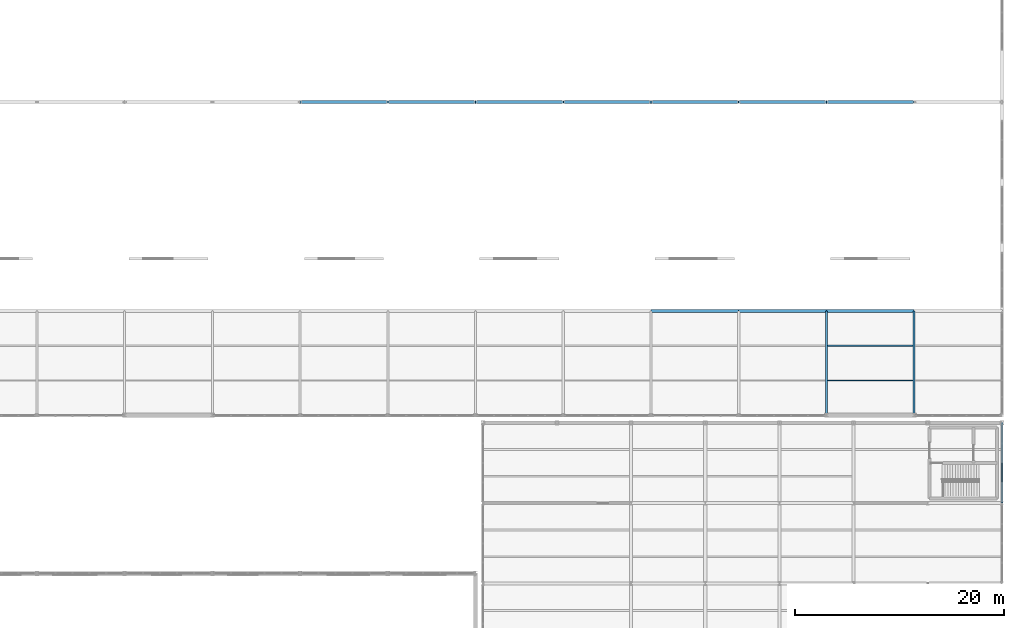
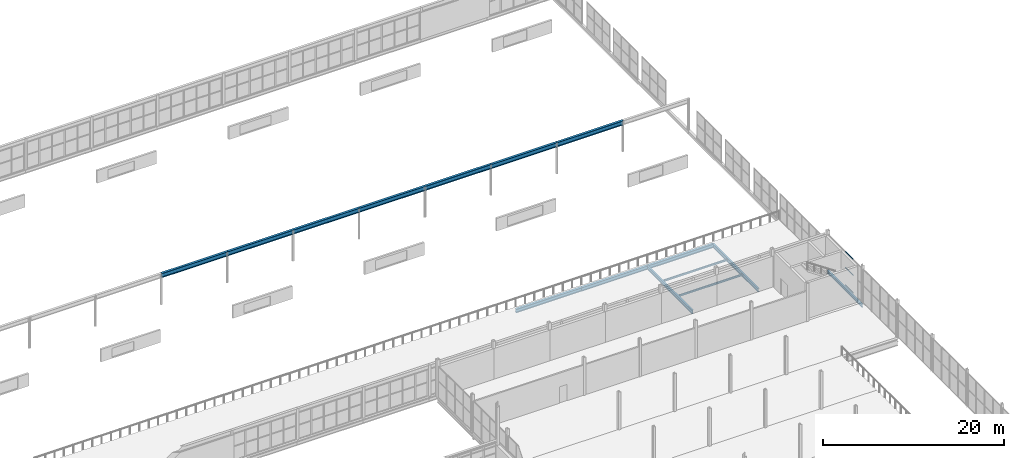
# One storey, part 151 of 218: 15 beams, 3 members, 1 element without a shape of its own.
"""IFC4 building model written with IfcOpenShell, lengths in metres."""

from ifc_helpers import new_model, si_unit, direction, frame, origin, origin_2d, place, context, subcontext, project, spatial, hollow_rectangle, i_section, extrude, material, material_profile, profile_set, type_object, element, aggregate, save


model = new_model("IFC4")

# Units and contexts
model_context = context("Model", 3, precision=1e-05, world=origin(), true_north=direction((0.0, 1.0)))
body_context = subcontext(model_context, "Body", "Model", "MODEL_VIEW")
ifc_project = project(units=[si_unit("LENGTHUNIT", "METRE"), si_unit("AREAUNIT", "SQUARE_METRE"), si_unit("VOLUMEUNIT", "CUBIC_METRE"), si_unit("PLANEANGLEUNIT", "RADIAN"), si_unit("MASSUNIT", "GRAM", prefix="KILO")], contexts=[model_context])

# Site, building, storey
site_placement = place(None, origin())
site = spatial("IfcSite", under=ifc_project, at=site_placement, CompositionType="ELEMENT")
building_placement = place(site_placement, origin())
building = spatial("IfcBuilding", under=site, at=building_placement, Name="Kazenagashi Tramway Depot", CompositionType="ELEMENT")
storey_placement = place(building_placement, frame((0.0, 0.0, 6.0)))
storey = spatial("IfcBuildingStorey", under=building, at=storey_placement, Name="L02", CompositionType="ELEMENT", Elevation=6.0)

# Beams
ifc_material_1 = material(Name="Steel SN490B", Category="steel")
ifc_material_profile_1 = material_profile(ifc_material_1, i_section(OverallWidth=0.2, OverallDepth=0.5, WebThickness=0.01, FlangeThickness=0.016, at=origin_2d()), Name="H-500x200x10x16")
ifc_profile_set_1 = profile_set([ifc_material_profile_1], Name="Steel SN490B")
beam_type_1 = type_object("IfcBeamType", Name="G-05", PredefinedType="BEAM", material=ifc_profile_set_1)
for number, where, z_axis, x_axis, name in (
    (1, (179.2, 70.0, -0.515), (0.0, 1.0, 0.0), (-1.0, 0.0, 0.0), "Beam G-05 BM-1784"),
    (2, (187.6, 70.0, -0.515), (0.0, 1.0, 0.0), (-1.0, 0.0, 0.0), "Beam G-05 BM-1787"),
):
    element("IfcBeam", number, at=place(storey_placement, frame(where, z_axis=z_axis, x_axis=x_axis)), inside=storey, type_object=beam_type_1, Name=name, PredefinedType="BEAM", context=body_context, shape_type="SweptSolid", body=[
        extrude(i_section(OverallWidth=0.2, OverallDepth=0.5, WebThickness=0.01, FlangeThickness=0.016, at=origin_2d()), origin(), (0.0, 0.0, 1.0), 10.0),
    ])
ifc_material_2 = material(Name="Steel SN400B", Category="steel")
ifc_material_profile_2 = material_profile(ifc_material_2, i_section(OverallWidth=0.125, OverallDepth=0.25, WebThickness=0.006, FlangeThickness=0.009, at=origin_2d()), Name="H-250x125x6x9")
ifc_profile_set_2 = profile_set([ifc_material_profile_2], Name="Steel SN400B")
beam_type_2 = type_object("IfcBeamType", Name="J-03", PredefinedType="JOIST", material=ifc_profile_set_2)
for number, where, z_axis, x_axis, name in (
    (3, (179.3, 73.333, -0.39), (1.0, 0.0, 0.0), (0.0, 1.0, 0.0), "Beam J-03 BM-1785"),
    (4, (179.3, 76.667, -0.39), (1.0, 0.0, 0.0), (0.0, 1.0, 0.0), "Beam J-03 BM-1786"),
):
    element("IfcBeam", number, at=place(storey_placement, frame(where, z_axis=z_axis, x_axis=x_axis)), inside=storey, type_object=beam_type_2, Name=name, PredefinedType="JOIST", context=body_context, shape_type="SweptSolid", body=[
        extrude(i_section(OverallWidth=0.125, OverallDepth=0.25, WebThickness=0.006, FlangeThickness=0.009, at=origin_2d()), origin(), (0.0, 0.0, 1.0), 8.2),
    ])
ifc_material_profile_3 = material_profile(ifc_material_1, i_section(OverallWidth=0.3, OverallDepth=0.588, WebThickness=0.012, FlangeThickness=0.02, at=origin_2d()), Name="H-588x300x12x20")
ifc_profile_set_3 = profile_set([ifc_material_profile_3], Name="Steel SN490B")
beam_type_3 = type_object("IfcBeamType", Name="SP-01", PredefinedType="SPANDREL", material=ifc_profile_set_3)
for number, where, z_axis, x_axis, name in (
    (5, (128.8, 100.0, 3.906), (1.0, 0.0, 0.0), (0.0, 1.0, 0.0), "Beam SP-01 BM-1872"),
    (6, (137.2, 100.0, 3.906), (1.0, 0.0, 0.0), (0.0, 1.0, 0.0), "Beam SP-01 BM-1873"),
    (7, (145.6, 100.0, 3.906), (1.0, 0.0, 0.0), (0.0, 1.0, 0.0), "Beam SP-01 BM-1874"),
    (8, (154.0, 100.0, 3.906), (1.0, 0.0, 0.0), (0.0, 1.0, 0.0), "Beam SP-01 BM-1875"),
    (9, (162.4, 100.0, 3.906), (1.0, 0.0, 0.0), (0.0, 1.0, 0.0), "Beam SP-01 BM-1876"),
    (10, (170.8, 100.0, 3.906), (1.0, 0.0, 0.0), (0.0, 1.0, 0.0), "Beam SP-01 BM-1877"),
    (11, (179.2, 100.0, 3.906), (1.0, 0.0, 0.0), (0.0, 1.0, 0.0), "Beam SP-01 BM-1878"),
):
    element("IfcBeam", number, at=place(storey_placement, frame(where, z_axis=z_axis, x_axis=x_axis)), inside=storey, type_object=beam_type_3, Name=name, PredefinedType="SPANDREL", context=body_context, shape_type="SweptSolid", body=[
        extrude(i_section(OverallWidth=0.3, OverallDepth=0.588, WebThickness=0.012, FlangeThickness=0.02, at=origin_2d()), origin(), (0.0, 0.0, 1.0), 8.4),
    ])
ifc_material_profile_4 = material_profile(ifc_material_1, i_section(OverallWidth=0.3, OverallDepth=0.488, WebThickness=0.011, FlangeThickness=0.018, at=origin_2d()), Name="H-488x300x11x18")
ifc_profile_set_4 = profile_set([ifc_material_profile_4], Name="Steel SN490B")
beam_type_4 = type_object("IfcBeamType", Name="SP-02", PredefinedType="SPANDREL", material=ifc_profile_set_4)
for number, where, z_axis, x_axis, name in (
    (12, (162.4, 80.0, -0.509), (1.0, 0.0, 0.0), (0.0, 1.0, 0.0), "Beam SP-02 BM-1733"),
    (13, (170.8, 80.0, -0.509), (1.0, 0.0, 0.0), (0.0, 1.0, 0.0), "Beam SP-02 BM-1734"),
    (14, (179.2, 80.0, -0.509), (1.0, 0.0, 0.0), (0.0, 1.0, 0.0), "Beam SP-02 BM-1735"),
):
    element("IfcBeam", number, at=place(storey_placement, frame(where, z_axis=z_axis, x_axis=x_axis)), inside=storey, type_object=beam_type_4, Name=name, PredefinedType="SPANDREL", context=body_context, shape_type="SweptSolid", body=[
        extrude(i_section(OverallWidth=0.3, OverallDepth=0.488, WebThickness=0.011, FlangeThickness=0.018, at=origin_2d()), origin(), (0.0, 0.0, 1.0), 8.4),
    ])
ifc_material_profile_5 = material_profile(ifc_material_1, i_section(OverallWidth=0.2, OverallDepth=0.4, WebThickness=0.008, FlangeThickness=0.013, at=origin_2d()), Name="H-400x200x8x13")
ifc_profile_set_5 = profile_set([ifc_material_profile_5], Name="Steel SN490B")
beam_type_5 = type_object("IfcBeamType", Name="SP-04", PredefinedType="SPANDREL", material=ifc_profile_set_5)
beam_placement = place(storey_placement, frame((196.0, 61.6, -0.48), z_axis=(0.0, 1.0, 0.0), x_axis=(-1.0, 0.0, 0.0)))
element("IfcBeam", 15, at=beam_placement, inside=storey, type_object=beam_type_5, Name="Beam SP-04 BM-1353", PredefinedType="SPANDREL", context=body_context, shape_type="SweptSolid", body=[
    extrude(i_section(OverallWidth=0.2, OverallDepth=0.4, WebThickness=0.008, FlangeThickness=0.013, at=origin_2d()), origin(), (0.0, 0.0, 1.0), 7.7),
])

# Curtain wall, members
ifc_material_3 = material(Name="Anodised Aluminium and Low-E Glazing", Category="aluminium")
curtain_wall_type = type_object("IfcCurtainWallType", Name="CW-23", PredefinedType="USERDEFINED", material=ifc_material_3)
curtain_wall_placement = place(storey_placement, origin())
curtain_wall = element("IfcCurtainWall", 16, at=curtain_wall_placement, inside=storey, type_object=curtain_wall_type, Name="Industrial Glazed Screen CW-23 CW-0133", ObjectType="GLAZED SCREEN", PredefinedType="USERDEFINED")
ifc_material_4 = material(Name="Anodised Aluminium", Category="aluminium")
ifc_material_profile_6 = material_profile(ifc_material_4, hollow_rectangle(XDim=0.06, YDim=0.12, WallThickness=0.004, at=origin_2d()), Name="RHS-120x60x4")
ifc_profile_set_6 = profile_set([ifc_material_profile_6], Name="Anodised Aluminium")
member_type = type_object("IfcMemberType", Name="TR-01", PredefinedType="USERDEFINED", material=ifc_profile_set_6)
member_1_placement = place(storey_placement, frame((196.0, 63.625, 0.03), z_axis=(0.0, 1.0, 0.0), x_axis=(-1.0, 0.0, 0.0)))
member_1 = element("IfcMember", 17, at=member_1_placement, type_object=member_type, Name="CW-23 transom 2.1", ObjectType="TRANSOM", PredefinedType="USERDEFINED", context=body_context, shape_type="SweptSolid", body=[
    extrude(hollow_rectangle(XDim=0.06, YDim=0.12, WallThickness=0.004, at=origin_2d()), origin(), (0.0, 0.0, 1.0), 1.795),
])
member_2_placement = place(storey_placement, frame((196.0, 63.625, 2.392), z_axis=(0.0, 1.0, 0.0), x_axis=(-1.0, 0.0, 0.0)))
member_2 = element("IfcMember", 18, at=member_2_placement, type_object=member_type, Name="CW-23 transom 2.2", ObjectType="TRANSOM", PredefinedType="USERDEFINED", context=body_context, shape_type="SweptSolid", body=[
    extrude(hollow_rectangle(XDim=0.06, YDim=0.12, WallThickness=0.004, at=origin_2d()), origin(), (0.0, 0.0, 1.0), 1.795),
])
member_3_placement = place(storey_placement, frame((196.0, 63.625, 4.57), z_axis=(0.0, 1.0, 0.0), x_axis=(-1.0, 0.0, 0.0)))
member_3 = element("IfcMember", 19, at=member_3_placement, type_object=member_type, Name="CW-23 transom 2.3", ObjectType="TRANSOM", PredefinedType="USERDEFINED", context=body_context, shape_type="SweptSolid", body=[
    extrude(hollow_rectangle(XDim=0.06, YDim=0.12, WallThickness=0.004, at=origin_2d()), origin(), (0.0, 0.0, 1.0), 1.795),
])
aggregate(curtain_wall, [member_1, member_2, member_3])

save(model, "model.ifc")
